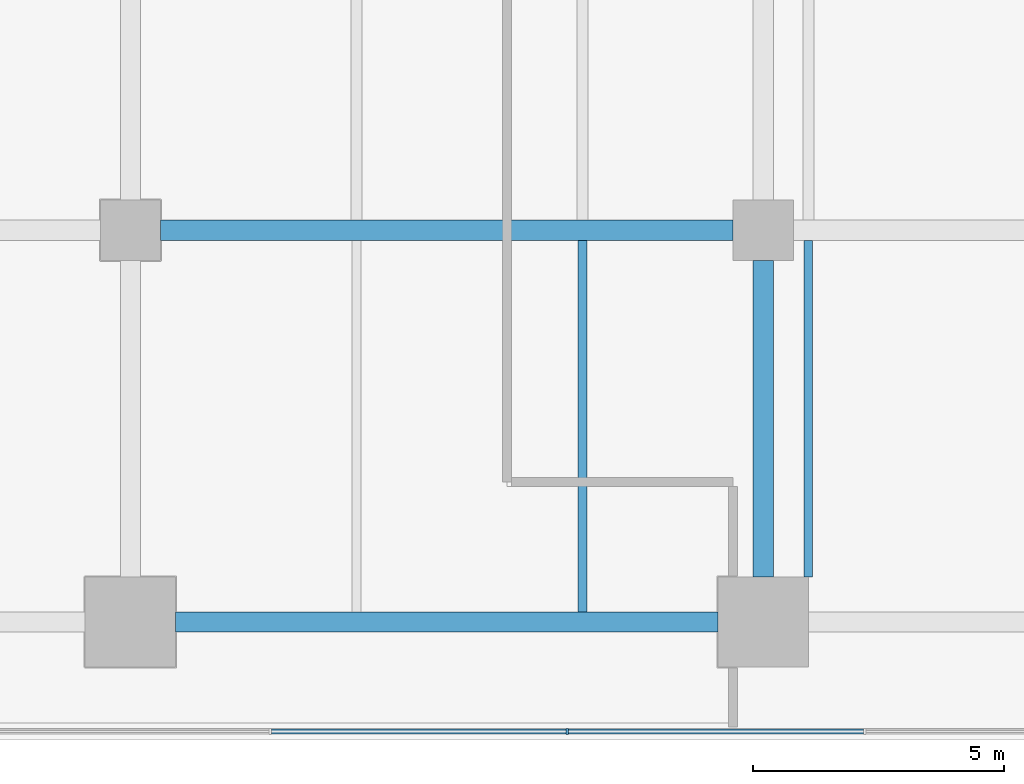
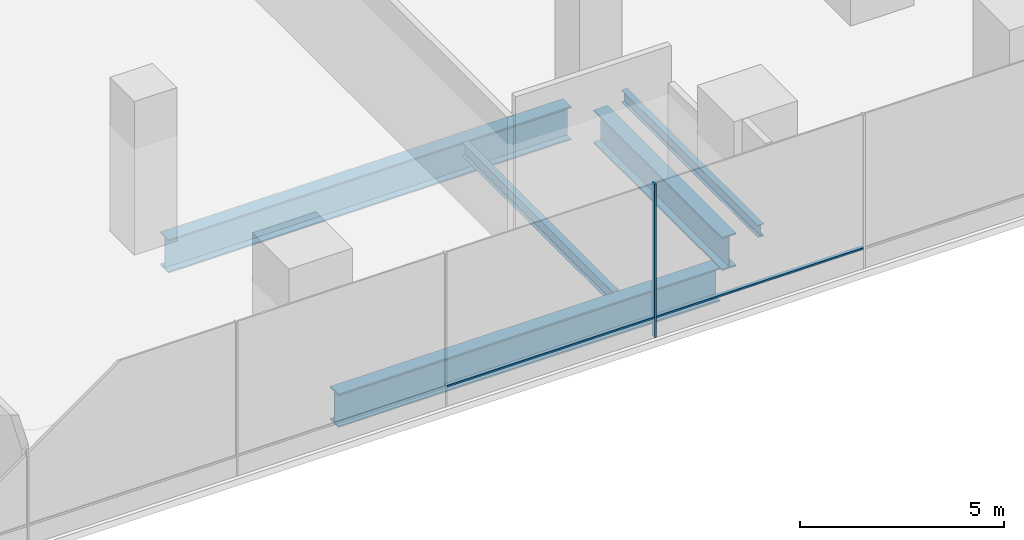
# One storey, part 7 of 28: 5 beams, 3 members, 1 element without a shape of its own.
"""IFC4 building model written with IfcOpenShell, lengths in metres."""

from ifc_helpers import new_model, si_unit, direction, frame, origin, origin_2d, place, context, subcontext, project, spatial, rectangle, i_section, extrude, material, layer, layer_set, material_profile, profile_set, type_object, element, aggregate, save


model = new_model("IFC4")

# Units and contexts
model_context = context("Model", 3, precision=1e-05, world=origin(), true_north=direction((0.0, 1.0)))
body_context = subcontext(model_context, "Body", "Model", "MODEL_VIEW")
ifc_project = project(units=[si_unit("LENGTHUNIT", "METRE"), si_unit("AREAUNIT", "SQUARE_METRE"), si_unit("VOLUMEUNIT", "CUBIC_METRE"), si_unit("PLANEANGLEUNIT", "RADIAN"), si_unit("MASSUNIT", "GRAM", prefix="KILO")], contexts=[model_context])

# Site, building, storey
site_placement = place(None, origin())
site = spatial("IfcSite", under=ifc_project, at=site_placement, CompositionType="ELEMENT")
building_placement = place(site_placement, origin())
building = spatial("IfcBuilding", under=site, at=building_placement, Name="Rattan Terrace Tower", CompositionType="ELEMENT")
storey_placement = place(building_placement, frame((0.0, 0.0, 22.199951171875)))
storey = spatial("IfcBuildingStorey", under=building, at=storey_placement, Name="L04", CompositionType="ELEMENT", Elevation=22.199951171875)

# Beams
ifc_material_1 = material(Name="Steel S355", Category="steel")
ifc_material_profile_1 = material_profile(ifc_material_1, i_section(OverallWidth=0.169921875, OverallDepth=0.360107421875, WebThickness=0.008056640625, FlangeThickness=0.0126953125, FilletRadius=0.01806640625, at=origin_2d()), Name="IPE 360")
ifc_profile_set_1 = profile_set([ifc_material_profile_1], Name="Steel S355")
beam_type_1 = type_object("IfcBeamType", Name="Frame floor beam IPE 360", PredefinedType="JOIST", material=ifc_profile_set_1)
beam_1_placement = place(storey_placement, frame((27.0, -34.0, -0.3798828125), z_axis=(0.0, 1.0, 0.0), x_axis=(-1.0, 0.0, 0.0)))
element("IfcBeam", 1, at=beam_1_placement, inside=storey, type_object=beam_type_1, Name="bm-L04-014", PredefinedType="JOIST", context=body_context, shape_type="SweptSolid", body=[
    extrude(i_section(OverallWidth=0.169921875, OverallDepth=0.360107421875, WebThickness=0.008056640625, FlangeThickness=0.0126953125, FilletRadius=0.01806640625, at=origin_2d()), origin(), (0.0, 0.0, 1.0), 6.699951171875),
])
ifc_material_2 = material(Name="Steel S355", Category="steel")
ifc_material_profile_2 = material_profile(ifc_material_2, i_section(OverallWidth=0.179931640625, OverallDepth=0.39990234375, WebThickness=0.008544921875, FlangeThickness=0.013427734375, FilletRadius=0.02099609375, at=origin_2d()), Name="IPE 400")
ifc_profile_set_2 = profile_set([ifc_material_profile_2], Name="Steel S355")
beam_type_2 = type_object("IfcBeamType", Name="Frame floor beam IPE 400", PredefinedType="JOIST", material=ifc_profile_set_2)
beam_2_placement = place(storey_placement, frame((22.5, -34.699951171875, -0.39990234375), z_axis=(0.0, 1.0, 0.0), x_axis=(-1.0, 0.0, 0.0)))
element("IfcBeam", 2, at=beam_2_placement, inside=storey, type_object=beam_type_2, Name="bm-L04-011", PredefinedType="JOIST", context=body_context, shape_type="SweptSolid", body=[
    extrude(i_section(OverallWidth=0.179931640625, OverallDepth=0.39990234375, WebThickness=0.008544921875, FlangeThickness=0.013427734375, FilletRadius=0.02099609375, at=origin_2d()), origin(), (0.0, 0.0, 1.0), 7.39990234375),
])
ifc_material_3 = material(Name="Steel S460", Category="steel")
ifc_material_profile_3 = material_profile(ifc_material_3, i_section(OverallWidth=0.39990234375, OverallDepth=1.0, WebThickness=0.01806640625, FlangeThickness=0.044921875, at=origin_2d()), Name="PG 1000x400-18-45")
ifc_profile_set_3 = profile_set([ifc_material_profile_3], Name="Steel S460")
beam_type_3 = type_object("IfcBeamType", Name="Frame podium girder PG 1000x400-18-45", PredefinedType="USERDEFINED", material=ifc_profile_set_3)
beam_3_placement = place(storey_placement, frame((14.39990234375, -34.89990234375, -0.699951171875), z_axis=(1.0, 0.0, 0.0), x_axis=(0.0, 1.0, 0.0)))
element("IfcBeam", 3, at=beam_3_placement, inside=storey, type_object=beam_type_3, Name="gdr-L04-005", ObjectType="PODIUM GIRDER", PredefinedType="USERDEFINED", context=body_context, shape_type="SweptSolid", body=[
    extrude(i_section(OverallWidth=0.39990234375, OverallDepth=1.0, WebThickness=0.01806640625, FlangeThickness=0.044921875, at=origin_2d()), origin(), (0.0, 0.0, 1.0), 10.800048828125),
])
beam_4_placement = place(storey_placement, frame((26.10009765625, -34.0, -0.699951171875), z_axis=(0.0, 1.0, 0.0), x_axis=(-1.0, 0.0, 0.0)))
element("IfcBeam", 4, at=beam_4_placement, inside=storey, type_object=beam_type_3, Name="gdr-L04-012", ObjectType="PODIUM GIRDER", PredefinedType="USERDEFINED", context=body_context, shape_type="SweptSolid", body=[
    extrude(i_section(OverallWidth=0.39990234375, OverallDepth=1.0, WebThickness=0.01806640625, FlangeThickness=0.044921875, at=origin_2d()), origin(), (0.0, 0.0, 1.0), 6.300048828125),
])
beam_5_placement = place(storey_placement, frame((14.10009765625, -27.10009765625, -0.699951171875), z_axis=(1.0, 0.0, 0.0), x_axis=(0.0, 1.0, 0.0)))
element("IfcBeam", 5, at=beam_5_placement, inside=storey, type_object=beam_type_3, Name="gdr-L04-018", ObjectType="PODIUM GIRDER", PredefinedType="USERDEFINED", context=body_context, shape_type="SweptSolid", body=[
    extrude(i_section(OverallWidth=0.39990234375, OverallDepth=1.0, WebThickness=0.01806640625, FlangeThickness=0.044921875, at=origin_2d()), origin(), (0.0, 0.0, 1.0), 11.39990234375),
])

# Curtain wall, members
ifc_material_4 = material(Name="Aluminium and glass", Category="aluminium")
ifc_layer = layer(ifc_material_4, 0.1201171875)
ifc_layer_set = layer_set([ifc_layer], Name="Station Storefront Curtain Wall")
curtain_wall_type = type_object("IfcCurtainWallType", Name="Station Storefront Curtain Wall", PredefinedType="NOTDEFINED", material=ifc_layer_set)
curtain_wall_placement = place(storey_placement, origin())
curtain_wall = element("IfcCurtainWall", 6, at=curtain_wall_placement, inside=storey, type_object=curtain_wall_type, Name="Storefront curtain wall L04-4", PredefinedType="NOTDEFINED")
ifc_material_5 = material(Name="Aluminium", Category="aluminium")
ifc_material_profile_4 = material_profile(ifc_material_5, rectangle(XDim=0.050048828125, YDim=0.1201171875, at=origin_2d()), Name="Aluminium 50x120")
ifc_profile_set_4 = profile_set([ifc_material_profile_4], Name="Aluminium")
member_type_1 = type_object("IfcMemberType", Name="Storefront CW Mullion 50x120", PredefinedType="MULLION", material=ifc_profile_set_4)
member_1_placement = place(storey_placement, frame((22.199951171875, -37.080078125, 0.0), z_axis=(0.0, 0.0, 1.0), x_axis=(1.0, 0.0, 0.0)))
member_1 = element("IfcMember", 7, at=member_1_placement, type_object=member_type_1, Name="Mullion cwl-L04-004.11", PredefinedType="MULLION", context=body_context, shape_type="SweptSolid", body=[
    extrude(rectangle(XDim=0.050048828125, YDim=0.1201171875, at=origin_2d()), origin(), (0.0, 0.0, 1.0), 4.60009765625),
])
ifc_material_6 = material(Name="Aluminium", Category="aluminium")
ifc_material_profile_5 = material_profile(ifc_material_6, rectangle(XDim=0.10009765625, YDim=0.050048828125, at=origin_2d()), Name="Aluminium 100x50")
ifc_profile_set_5 = profile_set([ifc_material_profile_5], Name="Aluminium")
member_type_2 = type_object("IfcMemberType", Name="Storefront CW Transom 100x50", PredefinedType="USERDEFINED", material=ifc_profile_set_5)
member_2_placement = place(storey_placement, frame((16.304931640625, -37.080078125, 0.60009765625), z_axis=(1.0, 0.0, 0.0), x_axis=(0.0, 1.0, 0.0)))
member_2 = element("IfcMember", 8, at=member_2_placement, type_object=member_type_2, Name="Transom cwl-L04-004.10", ObjectType="TRANSOM", PredefinedType="USERDEFINED", context=body_context, shape_type="SweptSolid", body=[
    extrude(rectangle(XDim=0.10009765625, YDim=0.050048828125, at=origin_2d()), origin(), (0.0, 0.0, 1.0), 5.8701171875),
])
member_3_placement = place(storey_placement, frame((22.22509765625, -37.080078125, 0.60009765625), z_axis=(1.0, 0.0, 0.0), x_axis=(0.0, 1.0, 0.0)))
member_3 = element("IfcMember", 9, at=member_3_placement, type_object=member_type_2, Name="Transom cwl-L04-004.11", ObjectType="TRANSOM", PredefinedType="USERDEFINED", context=body_context, shape_type="SweptSolid", body=[
    extrude(rectangle(XDim=0.10009765625, YDim=0.050048828125, at=origin_2d()), origin(), (0.0, 0.0, 1.0), 5.869873046875),
])
aggregate(curtain_wall, [member_1, member_2, member_3])

save(model, "model.ifc")
